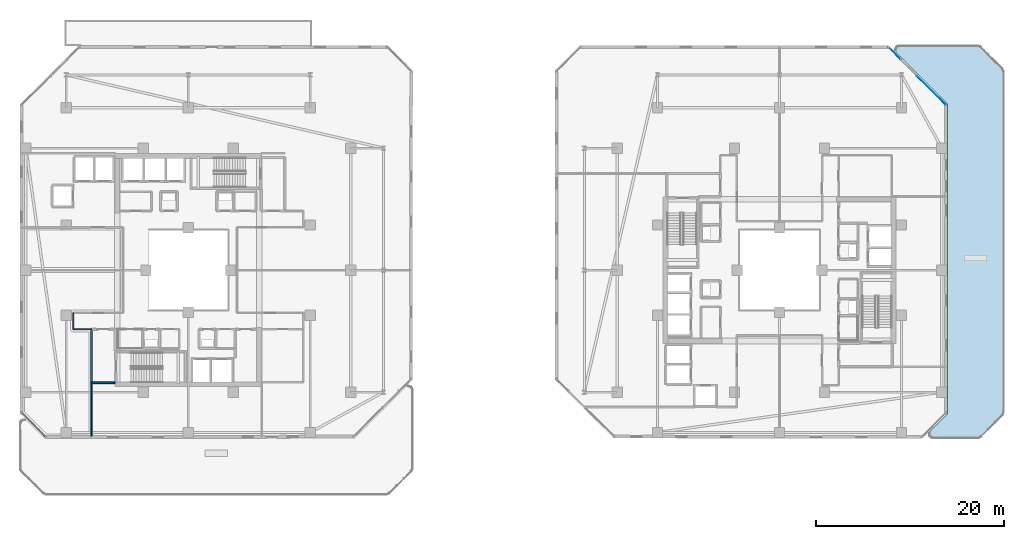
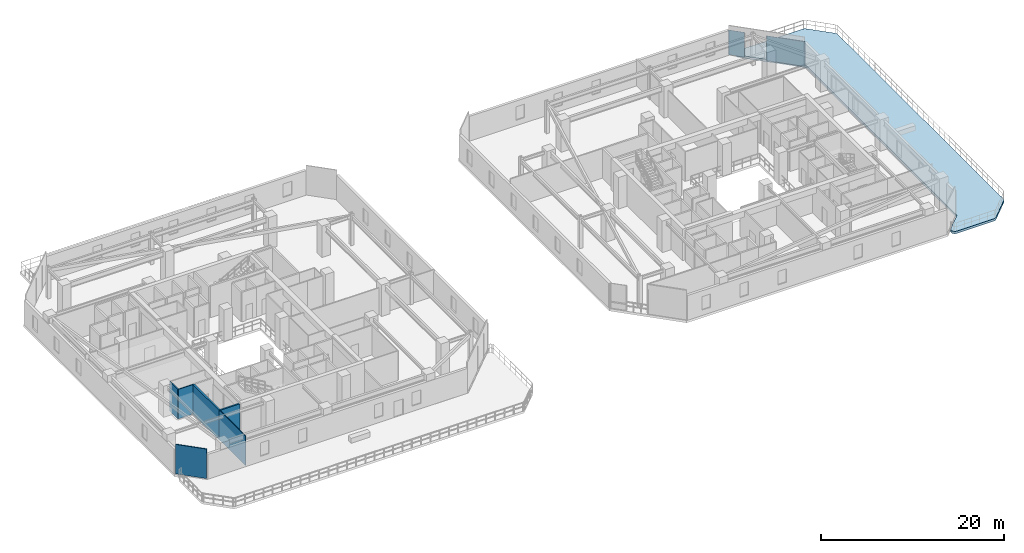
# One storey, part 19 of 33: 6 walls, 2 plates, 1 slab, 2 elements without a shape of their own.
"""IFC4 building model written with IfcOpenShell, lengths in metres."""

from ifc_helpers import new_model, si_unit, direction, frame, frame_2d, origin, origin_2d, place, context, subcontext, project, spatial, polyline, rectangle, outline, extrude, material, layer, layer_set, type_object, element, aggregate, save


model = new_model("IFC4")

# Units and contexts
model_context = context("Model", 3, precision=1e-05, world=origin(), true_north=direction((0.0, 1.0)))
body_context = subcontext(model_context, "Body", "Model", "MODEL_VIEW")
ifc_project = project(units=[si_unit("LENGTHUNIT", "METRE"), si_unit("AREAUNIT", "SQUARE_METRE"), si_unit("VOLUMEUNIT", "CUBIC_METRE"), si_unit("PLANEANGLEUNIT", "RADIAN"), si_unit("MASSUNIT", "GRAM", prefix="KILO")], contexts=[model_context])

# Site, building, storey
site_placement = place(None, origin())
site = spatial("IfcSite", under=ifc_project, at=site_placement, CompositionType="ELEMENT")
building_placement = place(site_placement, origin())
building = spatial("IfcBuilding", under=site, at=building_placement, Name="Thornwick Lancets Civic Towers", CompositionType="ELEMENT")
storey_placement = place(building_placement, frame((0.0, 0.0, 174.300048828125)))
storey = spatial("IfcBuildingStorey", under=building, at=storey_placement, Name="L46", CompositionType="ELEMENT", Elevation=174.300048828125)

# Curtain wall, plate
ifc_material_1 = material(Name="Mid-zone chamfered-corner unitised glass curtain wall", Category="glass")
curtain_wall_type = type_object("IfcCurtainWallType", Name="CW_SYS_04", PredefinedType="NOTDEFINED", material=ifc_material_1)
curtain_wall_1_placement = place(storey_placement, origin())
curtain_wall_1 = element("IfcCurtainWall", 1, at=curtain_wall_1_placement, inside=storey, type_object=curtain_wall_type, Name="L46 Curtain Wall CW-L46-B-E3-S2", PredefinedType="NOTDEFINED")
ifc_material_2 = material(Name="Low-e double glazing clear glass", Category="glass")
ifc_layer_1 = layer(ifc_material_2, 0.035888671875, Name="Low-e double glazing clear glass")
ifc_layer_set_1 = layer_set([ifc_layer_1], Name="Low-e double glazing clear glass")
plate_type_1 = type_object("IfcPlateType", Name="CW_PNL_GLASS", PredefinedType="CURTAIN_PANEL", material=ifc_layer_set_1)
plate_1_placement = place(storey_placement, frame((100.74365234375, 50.105712890625, 0.0), z_axis=(0.0, 0.0, 1.0), x_axis=(-0.707106781187, 0.707106781187, 0.0)))
plate_1 = element("IfcPlate", 2, at=plate_1_placement, type_object=plate_type_1, Name="CW-L46-B-E3-S2 Panel 0", PredefinedType="CURTAIN_PANEL", context=body_context, shape_type="SweptSolid", body=[
    extrude(rectangle(XDim=1.826416015625, YDim=0.035888671875, at=origin_2d()), origin(), (0.0, 0.0, 1.0), 3.300048828125),
])
aggregate(curtain_wall_1, [plate_1])

curtain_wall_2_placement = place(storey_placement, origin())
curtain_wall_2 = element("IfcCurtainWall", 3, at=curtain_wall_2_placement, inside=storey, type_object=curtain_wall_type, Name="L46 Curtain Wall CW-L46-B-E3-S1", PredefinedType="NOTDEFINED")
ifc_material_3 = material(Name="Extruded buff terracotta spandrel panel", Category="masonry")
ifc_layer_2 = layer(ifc_material_3, 0.044921875, Name="Extruded buff terracotta spandrel panel")
ifc_layer_set_2 = layer_set([ifc_layer_2], Name="Extruded buff terracotta spandrel panel")
plate_type_2 = type_object("IfcPlateType", Name="CW_PNL_TERRA", PredefinedType="CURTAIN_PANEL", material=ifc_layer_set_2)
plate_2_placement = place(storey_placement, frame((104.70556640625, 46.1435546875, 0.0), z_axis=(0.0, 0.0, 1.0), x_axis=(-0.707106781187, 0.707106781187, 0.0)))
plate_2 = element("IfcPlate", 4, at=plate_2_placement, type_object=plate_type_2, Name="CW-L46-B-E3-S1 Panel 0", PredefinedType="CURTAIN_PANEL", context=body_context, shape_type="SweptSolid", body=[
    extrude(rectangle(XDim=4.3720703125, YDim=0.044921875, at=origin_2d()), origin(), (0.0, 0.0, 1.0), 3.300048828125),
])
aggregate(curtain_wall_2, [plate_2])

# Slab
ifc_material_4 = material(Name="Post-tensioned concrete C40/50", Category="concrete")
ifc_layer_3 = layer(ifc_material_4, 0.320068359375, Name="Post-tensioned concrete C40/50")
ifc_layer_set_3 = layer_set([ifc_layer_3], Name="Post-tensioned concrete C40/50")
slab_type = type_object("IfcSlabType", Name="SLAB_PT_320", PredefinedType="FLOOR", material=ifc_layer_set_3)
slab_placement = place(storey_placement, frame((0.0, 0.0, -0.320068359375)))
element("IfcSlab", 5, at=slab_placement, inside=storey, type_object=slab_type, Name="L46 Tower B Cantilevered Block Sky-Garden Terrace 1", PredefinedType="FLOOR", context=body_context, shape_type="SweptSolid", body=[
    extrude(outline(polyline([(109.65771484375, 50.897705078125), (109.701416015625, 50.891357421875), (109.744140625, 50.880615234375), (109.785888671875, 50.86572265625), (109.82568359375, 50.846923828125), (109.863525390625, 50.82421875), (109.899169921875, 50.7978515625), (109.931884765625, 50.768310546875), (112.268310546875, 48.431884765625), (112.2978515625, 48.399169921875), (112.32421875, 48.363525390625), (112.346923828125, 48.32568359375), (112.36572265625, 48.285888671875), (112.380615234375, 48.244140625), (112.391357421875, 48.201416015625), (112.397705078125, 48.15771484375), (112.39990234375, 48.113525390625), (112.39990234375, 11.886474609375), (112.397705078125, 11.84228515625), (112.391357421875, 11.798583984375), (112.380615234375, 11.755859375), (112.36572265625, 11.714111328125), (112.346923828125, 11.67431640625), (112.32421875, 11.636474609375), (112.2978515625, 11.600830078125), (112.268310546875, 11.568115234375), (112.031982421875, 11.33203125), (109.931884765625, 9.231689453125), (109.899169921875, 9.2021484375), (109.863525390625, 9.17578125), (109.82568359375, 9.153076171875), (109.785888671875, 9.13427734375), (109.744140625, 9.119384765625), (109.701416015625, 9.108642578125), (109.65771484375, 9.102294921875), (109.613525390625, 9.10009765625), (104.914794921875, 9.10009765625), (104.87060546875, 9.102294921875), (104.826904296875, 9.108642578125), (104.7841796875, 9.119384765625), (104.742431640625, 9.13427734375), (104.70263671875, 9.153076171875), (104.664794921875, 9.17578125), (104.629150390625, 9.2021484375), (104.596435546875, 9.231689453125), (104.56689453125, 9.264404296875), (104.54052734375, 9.300048828125), (104.517822265625, 9.337890625), (104.498779296875, 9.377685546875), (104.484130859375, 9.41943359375), (104.473388671875, 9.462158203125), (104.466796875, 9.505859375), (104.464599609375, 9.550048828125), (104.466796875, 9.593994140625), (104.473388671875, 9.6376953125), (104.484130859375, 9.6806640625), (104.498779296875, 9.72216796875), (104.517822265625, 9.76220703125), (104.54052734375, 9.800048828125), (104.56689453125, 9.83544921875), (104.596435546875, 9.8681640625), (106.406005859375, 11.677490234375), (106.41015625, 11.681884765625), (106.4140625, 11.685791015625), (106.41552734375, 11.687255859375), (106.41650390625, 11.68896484375), (106.41748046875, 11.690673828125), (106.41845703125, 11.6923828125), (106.419189453125, 11.694091796875), (106.419677734375, 11.696044921875), (106.419921875, 11.697998046875), (106.419921875, 11.699951171875), (106.419921875, 11.7060546875), (106.419921875, 44.694580078125), (106.419921875, 44.699951171875), (106.419921875, 44.701904296875), (106.419677734375, 44.703857421875), (106.419189453125, 44.705810546875), (106.41845703125, 44.707763671875), (106.41748046875, 44.70947265625), (106.41650390625, 44.711181640625), (106.41552734375, 44.712646484375), (106.4140625, 44.714111328125), (103.52490234375, 47.603515625), (100.99658203125, 50.1318359375), (100.966796875, 50.16455078125), (100.9404296875, 50.199951171875), (100.917724609375, 50.23779296875), (100.89892578125, 50.27783203125), (100.884033203125, 50.3193359375), (100.873291015625, 50.3623046875), (100.86669921875, 50.406005859375), (100.86474609375, 50.449951171875), (100.86669921875, 50.494140625), (100.873291015625, 50.537841796875), (100.884033203125, 50.58056640625), (100.89892578125, 50.622314453125), (100.917724609375, 50.662109375), (100.9404296875, 50.699951171875), (100.966796875, 50.735595703125), (100.99658203125, 50.768310546875), (101.029296875, 50.7978515625), (101.064697265625, 50.82421875), (101.1025390625, 50.846923828125), (101.142578125, 50.86572265625), (101.18408203125, 50.880615234375), (101.226806640625, 50.891357421875), (101.2705078125, 50.897705078125), (101.314697265625, 50.89990234375), (109.613525390625, 50.89990234375), (109.65771484375, 50.897705078125)])), origin(), (0.0, 0.0, 1.0), 0.320068359375),
])

# Walls
ifc_material_5 = material(Name="Concrete blockwork C40/50", Category="masonry")
ifc_layer_4 = layer(ifc_material_5, 0.199951171875, Name="Concrete blockwork C40/50")
ifc_layer_set_4 = layer_set([ifc_layer_4], Name="Concrete blockwork C40/50")
wall_type_1 = type_object("IfcWallType", Name="WALL_COMP_200", PredefinedType="STANDARD", material=ifc_layer_set_4)
wall_1_placement = place(storey_placement, frame((15.199951171875, 15.0, 0.0), z_axis=(0.0, 0.0, 1.0), x_axis=(1.0, 0.0, 0.0)))
element("IfcWall", 6, at=wall_1_placement, inside=storey, type_object=wall_type_1, Name="L46 Partition L46-A-FFLOB1 E1", PredefinedType="STANDARD", context=body_context, shape_type="SweptSolid", body=[
    extrude(rectangle(XDim=2.5, YDim=0.199951171875, at=frame_2d((1.25, 0.0))), origin(), (0.0, 0.0, 1.0), 3.93994140625),
])
wall_2_placement = place(storey_placement, frame((15.199951171875, 20.699951171875, 0.0), z_axis=(0.0, 0.0, 1.0), x_axis=(0.0, -1.0, 0.0)))
element("IfcWall", 7, at=wall_2_placement, inside=storey, type_object=wall_type_1, Name="L46 Partition L46-A-FFLOB1 E4", PredefinedType="STANDARD", context=body_context, shape_type="SweptSolid", body=[
    extrude(rectangle(XDim=5.699951171875, YDim=0.199951171875, at=frame_2d((2.85009765625, 0.0))), origin(), (0.0, 0.0, 1.0), 3.93994140625),
])
ifc_material_6 = material(Name="Acoustic gypsum board partition")
ifc_layer_5 = layer(ifc_material_6, 0.1201171875, Name="Acoustic gypsum board partition")
ifc_layer_set_5 = layer_set([ifc_layer_5], Name="Acoustic gypsum board partition")
wall_type_2 = type_object("IfcWallType", Name="WALL_PART_120", PredefinedType="PARTITIONING", material=ifc_layer_set_5)
wall_3_placement = place(storey_placement, frame((13.25, 22.449951171875, 0.0), z_axis=(0.0, 0.0, 1.0), x_axis=(0.0, -1.0, 0.0)))
element("IfcWall", 8, at=wall_3_placement, inside=storey, type_object=wall_type_2, Name="L46 Partition L46-A-W1 E5", PredefinedType="PARTITIONING", context=body_context, shape_type="SweptSolid", body=[
    extrude(rectangle(XDim=1.75, YDim=0.1201171875, at=frame_2d((0.875, 0.0))), origin(), (0.0, 0.0, 1.0), 3.93994140625),
])
wall_4_placement = place(storey_placement, frame((13.25, 20.699951171875, 0.0), z_axis=(0.0, 0.0, 1.0), x_axis=(1.0, 0.0, 0.0)))
element("IfcWall", 9, at=wall_4_placement, inside=storey, type_object=wall_type_2, Name="L46 Partition L46-A-W1 E6", PredefinedType="PARTITIONING", context=body_context, shape_type="SweptSolid", body=[
    extrude(rectangle(XDim=1.949951171875, YDim=0.1201171875, at=frame_2d((0.97509765625, 0.0))), origin(), (0.0, 0.0, 1.0), 3.93994140625),
])
wall_5_placement = place(storey_placement, frame((15.199951171875, 15.0, 0.0), z_axis=(0.0, 0.0, 1.0), x_axis=(0.0, -1.0, 0.0)))
element("IfcWall", 10, at=wall_5_placement, inside=storey, type_object=wall_type_2, Name="L46 Partition L46-A-W1 E8", PredefinedType="PARTITIONING", context=body_context, shape_type="SweptSolid", body=[
    extrude(rectangle(XDim=5.719970703125, YDim=0.1201171875, at=frame_2d((2.85986328125, 0.0))), origin(), (0.0, 0.0, 1.0), 3.93994140625),
])
wall_6_placement = place(storey_placement, frame((10.274658203125, 9.280029296875, 0.0), z_axis=(0.0, 0.0, 1.0), x_axis=(-0.707106781187, 0.707106781187, 0.0)))
element("IfcWall", 11, at=wall_6_placement, inside=storey, type_object=wall_type_2, Name="L46 Partition L46-A-W1 E10", PredefinedType="PARTITIONING", context=body_context, shape_type="SweptSolid", body=[
    extrude(rectangle(XDim=3.52783203125, YDim=0.1201171875, at=frame_2d((1.763916015625, 0.0))), origin(), (0.0, 0.0, 1.0), 3.93994140625),
])

save(model, "model.ifc")
